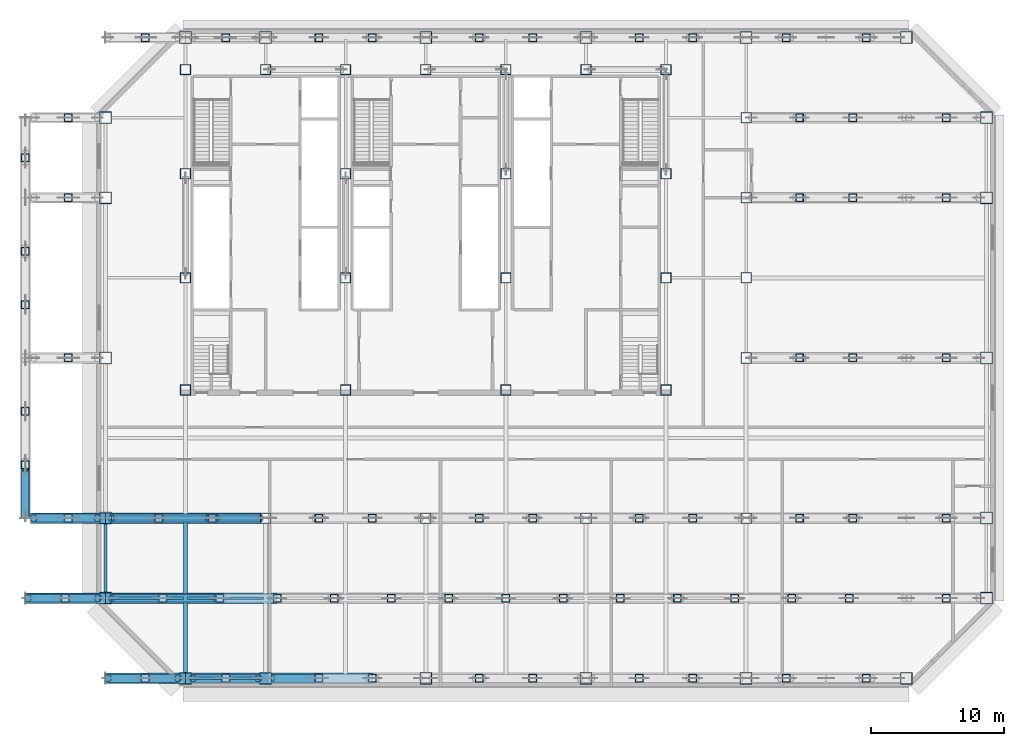
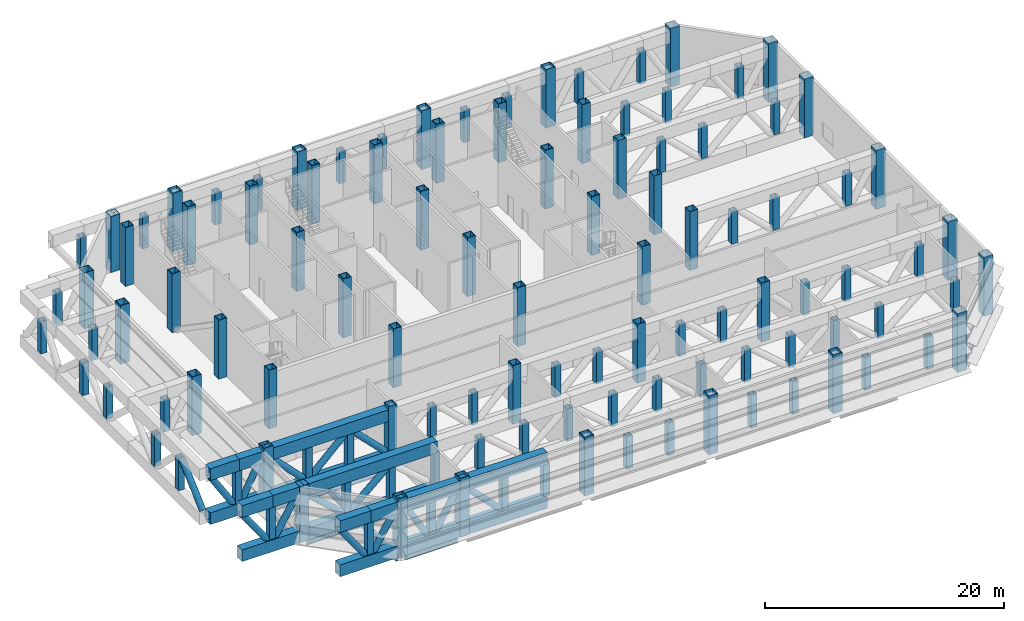
# One storey, part 1 of 17: 113 columns, 21 beams, 15 members.
"""IFC4 building model written with IfcOpenShell, lengths in metres."""

from ifc_helpers import new_model, si_unit, direction, frame, origin, origin_2d, place, context, subcontext, project, spatial, hollow_rectangle, hollow_circle, i_section, extrude, material, material_profile, profile_set, type_object, element, save


model = new_model("IFC4")

# Units and contexts
model_context = context("Model", 3, precision=1e-05, world=origin(), true_north=direction((0.0, 1.0)))
body_context = subcontext(model_context, "Body", "Model", "MODEL_VIEW")
ifc_project = project(units=[si_unit("LENGTHUNIT", "METRE"), si_unit("AREAUNIT", "SQUARE_METRE"), si_unit("VOLUMEUNIT", "CUBIC_METRE"), si_unit("PLANEANGLEUNIT", "RADIAN"), si_unit("MASSUNIT", "GRAM", prefix="KILO")], contexts=[model_context])

# Site, building, storey
site_placement = place(None, origin())
site = spatial("IfcSite", under=ifc_project, at=site_placement, CompositionType="ELEMENT")
building_placement = place(site_placement, origin())
building = spatial("IfcBuilding", under=site, at=building_placement, Name="Sorahane Residences", CompositionType="ELEMENT")
storey_placement = place(building_placement, frame((0.0, 0.0, 90.199951171875)))
storey = spatial("IfcBuildingStorey", under=building, at=storey_placement, Name="L19", CompositionType="ELEMENT", Elevation=90.199951171875)

# Columns
ifc_material_1 = material(Name="Steel Q355B", Category="steel")
ifc_material_profile_1 = material_profile(ifc_material_1, hollow_rectangle(XDim=0.800048828125, YDim=0.800048828125, WallThickness=0.0400390625, at=origin_2d()), Name="BOX 800x800x40")
ifc_profile_set_1 = profile_set([ifc_material_profile_1], Name="Steel Q355B")
column_type_1 = type_object("IfcColumnType", Name="Steel box column BOX 800x800x40 Q355B", PredefinedType="COLUMN", material=ifc_profile_set_1)
for number, where, z_axis, x_axis, name in (
    (1, (12.0, 12.0, 0.0), (0.0, 0.0, 1.0), (1.0, 0.0, 0.0), "Column L19 12/12"),
    (2, (24.0, 12.0, 0.0), (0.0, 0.0, 1.0), (1.0, 0.0, 0.0), "Column L19 24/12"),
    (3, (36.0, 12.0, 0.0), (0.0, 0.0, 1.0), (1.0, 0.0, 0.0), "Column L19 36/12"),
    (4, (48.0, 12.0, 0.0), (0.0, 0.0, 1.0), (1.0, 0.0, 0.0), "Column L19 48/12"),
    (5, (48.0, 24.0, 0.0), (0.0, 0.0, 1.0), (1.0, 0.0, 0.0), "Column L19 48/24"),
    (6, (48.0, 30.0, 0.0), (0.0, 0.0, 1.0), (1.0, 0.0, 0.0), "Column L19 48/30"),
    (7, (48.0, 36.0, 0.0), (0.0, 0.0, 1.0), (1.0, 0.0, 0.0), "Column L19 48/36"),
    (8, (48.0, 42.0, 0.0), (0.0, 0.0, 1.0), (1.0, 0.0, 0.0), "Column L19 48/42"),
):
    element("IfcColumn", number, at=place(storey_placement, frame(where, z_axis=z_axis, x_axis=x_axis)), inside=storey, type_object=column_type_1, Name=name, PredefinedType="COLUMN", context=body_context, shape_type="SweptSolid", body=[
        extrude(hollow_rectangle(XDim=0.800048828125, YDim=0.800048828125, WallThickness=0.0400390625, at=origin_2d()), origin(), (0.0, 0.0, 1.0), 6.0),
    ])
ifc_material_2 = material(Name="Steel Q420GJ", Category="steel")
ifc_material_profile_2 = material_profile(ifc_material_2, hollow_rectangle(XDim=0.800048828125, YDim=0.800048828125, WallThickness=0.06005859375, at=origin_2d()), Name="BOX 800x800x60")
ifc_profile_set_2 = profile_set([ifc_material_profile_2], Name="Steel Q420GJ")
column_type_2 = type_object("IfcColumnType", Name="Steel box column BOX 800x800x60 Q420GJ", PredefinedType="COLUMN", material=ifc_profile_set_2)
for number, where, z_axis, x_axis, name in (
    (9, (6.0, 21.60009765625, 0.0), (0.0, 0.0, 1.0), (1.0, 0.0, 0.0), "Column L19 6/21.6"),
    (10, (6.0, 30.0, 0.0), (0.0, 0.0, 1.0), (1.0, 0.0, 0.0), "Column L19 6/30"),
    (11, (6.0, 37.800048828125, 0.0), (0.0, 0.0, 1.0), (1.0, 0.0, 0.0), "Column L19 6/37.8"),
    (12, (6.0, 45.60009765625, 0.0), (0.0, 0.0, 1.0), (1.0, 0.0, 0.0), "Column L19 6/45.6"),
    (13, (12.0, 45.60009765625, 0.0), (0.0, 0.0, 1.0), (1.0, 0.0, 0.0), "Column L19 12/45.6"),
    (14, (18.0, 21.60009765625, 0.0), (0.0, 0.0, 1.0), (1.0, 0.0, 0.0), "Column L19 18/21.6"),
    (15, (18.0, 30.0, 0.0), (0.0, 0.0, 1.0), (1.0, 0.0, 0.0), "Column L19 18/30"),
    (16, (18.0, 37.800048828125, 0.0), (0.0, 0.0, 1.0), (1.0, 0.0, 0.0), "Column L19 18/37.8"),
    (17, (18.0, 45.60009765625, 0.0), (0.0, 0.0, 1.0), (1.0, 0.0, 0.0), "Column L19 18/45.6"),
    (18, (24.0, 45.60009765625, 0.0), (0.0, 0.0, 1.0), (1.0, 0.0, 0.0), "Column L19 24/45.6"),
    (19, (30.0, 21.60009765625, 0.0), (0.0, 0.0, 1.0), (1.0, 0.0, 0.0), "Column L19 30/21.6"),
    (20, (30.0, 30.0, 0.0), (0.0, 0.0, 1.0), (1.0, 0.0, 0.0), "Column L19 30/30"),
    (21, (30.0, 37.800048828125, 0.0), (0.0, 0.0, 1.0), (1.0, 0.0, 0.0), "Column L19 30/37.8"),
    (22, (30.0, 45.60009765625, 0.0), (0.0, 0.0, 1.0), (1.0, 0.0, 0.0), "Column L19 30/45.6"),
    (23, (36.0, 45.60009765625, 0.0), (0.0, 0.0, 1.0), (1.0, 0.0, 0.0), "Column L19 36/45.6"),
    (24, (42.0, 21.60009765625, 0.0), (0.0, 0.0, 1.0), (1.0, 0.0, 0.0), "Column L19 42/21.6"),
    (25, (42.0, 30.0, 0.0), (0.0, 0.0, 1.0), (1.0, 0.0, 0.0), "Column L19 42/30"),
    (26, (42.0, 37.800048828125, 0.0), (0.0, 0.0, 1.0), (1.0, 0.0, 0.0), "Column L19 42/37.8"),
    (27, (42.0, 45.60009765625, 0.0), (0.0, 0.0, 1.0), (1.0, 0.0, 0.0), "Column L19 42/45.6"),
):
    element("IfcColumn", number, at=place(storey_placement, frame(where, z_axis=z_axis, x_axis=x_axis)), inside=storey, type_object=column_type_2, Name=name, PredefinedType="COLUMN", context=body_context, shape_type="SweptSolid", body=[
        extrude(hollow_rectangle(XDim=0.800048828125, YDim=0.800048828125, WallThickness=0.06005859375, at=origin_2d()), origin(), (0.0, 0.0, 1.0), 6.0),
    ])
ifc_material_3 = material(Name="Steel Q420GJ", Category="steel")
ifc_material_profile_3 = material_profile(ifc_material_3, hollow_rectangle(XDim=0.89990234375, YDim=0.89990234375, WallThickness=0.044921875, at=origin_2d()), Name="BOX 900x900x45")
ifc_profile_set_3 = profile_set([ifc_material_profile_3], Name="Steel Q420GJ")
column_type_3 = type_object("IfcColumnType", Name="Steel box column BOX 900x900x45 Q420GJ", PredefinedType="COLUMN", material=ifc_profile_set_3)
column_1_placement = place(storey_placement, frame((0.0, 6.0, 0.0), z_axis=(0.0, 0.0, 1.0), x_axis=(1.0, 0.0, 0.0)))
element("IfcColumn", 28, at=column_1_placement, inside=storey, type_object=column_type_3, Name="Column L19 m0/6", PredefinedType="COLUMN", context=body_context, shape_type="SweptSolid", body=[
    extrude(hollow_rectangle(XDim=0.89990234375, YDim=0.89990234375, WallThickness=0.044921875, at=origin_2d()), origin(), (0.0, 0.0, 1.0), 5.699951171875),
])
for number, where, z_axis, x_axis, name in (
    (29, (0.0, 12.0, 0.0), (0.0, 0.0, 1.0), (1.0, 0.0, 0.0), "Column L19 m0/12"),
    (30, (0.0, 24.0, 0.0), (0.0, 0.0, 1.0), (1.0, 0.0, 0.0), "Column L19 m0/24"),
    (31, (0.0, 36.0, 0.0), (0.0, 0.0, 1.0), (1.0, 0.0, 0.0), "Column L19 m0/36"),
):
    element("IfcColumn", number, at=place(storey_placement, frame(where, z_axis=z_axis, x_axis=x_axis)), inside=storey, type_object=column_type_3, Name=name, PredefinedType="COLUMN", context=body_context, shape_type="SweptSolid", body=[
        extrude(hollow_rectangle(XDim=0.89990234375, YDim=0.89990234375, WallThickness=0.044921875, at=origin_2d()), origin(), (0.0, 0.0, 1.0), 6.0),
    ])
column_2_placement = place(storey_placement, frame((0.0, 42.0, 0.0), z_axis=(0.0, 0.0, 1.0), x_axis=(1.0, 0.0, 0.0)))
element("IfcColumn", 32, at=column_2_placement, inside=storey, type_object=column_type_3, Name="Column L19 m0/42", PredefinedType="COLUMN", context=body_context, shape_type="SweptSolid", body=[
    extrude(hollow_rectangle(XDim=0.89990234375, YDim=0.89990234375, WallThickness=0.044921875, at=origin_2d()), origin(), (0.0, 0.0, 1.0), 5.699951171875),
])
column_3_placement = place(storey_placement, frame((6.0, 0.0, 0.0), z_axis=(0.0, 0.0, 1.0), x_axis=(1.0, 0.0, 0.0)))
element("IfcColumn", 33, at=column_3_placement, inside=storey, type_object=column_type_3, Name="Column L19 6/0", PredefinedType="COLUMN", context=body_context, shape_type="SweptSolid", body=[
    extrude(hollow_rectangle(XDim=0.89990234375, YDim=0.89990234375, WallThickness=0.044921875, at=origin_2d()), origin(), (0.0, 0.0, 1.0), 6.0),
])
column_4_placement = place(storey_placement, frame((6.0, 48.0, 0.0), z_axis=(0.0, 0.0, 1.0), x_axis=(1.0, 0.0, 0.0)))
element("IfcColumn", 34, at=column_4_placement, inside=storey, type_object=column_type_3, Name="Column L19 6/48", PredefinedType="COLUMN", context=body_context, shape_type="SweptSolid", body=[
    extrude(hollow_rectangle(XDim=0.89990234375, YDim=0.89990234375, WallThickness=0.044921875, at=origin_2d()), origin(), (0.0, 0.0, 1.0), 5.699951171875),
])
for number, where, z_axis, x_axis, name in (
    (35, (12.0, 0.0, 0.0), (0.0, 0.0, 1.0), (1.0, 0.0, 0.0), "Column L19 12/0"),
    (36, (12.0, 48.0, 0.0), (0.0, 0.0, 1.0), (1.0, 0.0, 0.0), "Column L19 12/48"),
    (37, (24.0, 0.0, 0.0), (0.0, 0.0, 1.0), (1.0, 0.0, 0.0), "Column L19 24/0"),
    (38, (24.0, 48.0, 0.0), (0.0, 0.0, 1.0), (1.0, 0.0, 0.0), "Column L19 24/48"),
    (39, (36.0, 0.0, 0.0), (0.0, 0.0, 1.0), (1.0, 0.0, 0.0), "Column L19 36/0"),
    (40, (36.0, 48.0, 0.0), (0.0, 0.0, 1.0), (1.0, 0.0, 0.0), "Column L19 36/48"),
    (41, (48.0, 0.0, 0.0), (0.0, 0.0, 1.0), (1.0, 0.0, 0.0), "Column L19 48/0"),
    (42, (48.0, 48.0, 0.0), (0.0, 0.0, 1.0), (1.0, 0.0, 0.0), "Column L19 48/48"),
    (43, (60.0, 0.0, 0.0), (0.0, 0.0, 1.0), (1.0, 0.0, 0.0), "Column L19 60/0"),
    (44, (60.0, 48.0, 0.0), (0.0, 0.0, 1.0), (1.0, 0.0, 0.0), "Column L19 60/48"),
    (45, (66.0, 6.0, 0.0), (0.0, 0.0, 1.0), (1.0, 0.0, 0.0), "Column L19 66/6"),
    (46, (66.0, 12.0, 0.0), (0.0, 0.0, 1.0), (1.0, 0.0, 0.0), "Column L19 66/12"),
    (47, (66.0, 24.0, 0.0), (0.0, 0.0, 1.0), (1.0, 0.0, 0.0), "Column L19 66/24"),
    (48, (66.0, 36.0, 0.0), (0.0, 0.0, 1.0), (1.0, 0.0, 0.0), "Column L19 66/36"),
    (49, (66.0, 42.0, 0.0), (0.0, 0.0, 1.0), (1.0, 0.0, 0.0), "Column L19 66/42"),
):
    element("IfcColumn", number, at=place(storey_placement, frame(where, z_axis=z_axis, x_axis=x_axis)), inside=storey, type_object=column_type_3, Name=name, PredefinedType="COLUMN", context=body_context, shape_type="SweptSolid", body=[
        extrude(hollow_rectangle(XDim=0.89990234375, YDim=0.89990234375, WallThickness=0.044921875, at=origin_2d()), origin(), (0.0, 0.0, 1.0), 6.0),
    ])
ifc_material_4 = material(Name="Steel Q420GJ", Category="steel")
ifc_material_profile_4 = material_profile(ifc_material_4, hollow_rectangle(XDim=0.60009765625, YDim=0.60009765625, WallThickness=0.0400390625, at=origin_2d()), Name="BOX 600x600x40")
ifc_profile_set_4 = profile_set([ifc_material_profile_4], Name="Steel Q420GJ")
column_type_4 = type_object("IfcColumnType", Name="Truss post BOX 600x600x40 Q420GJ", PredefinedType="COLUMN", material=ifc_profile_set_4)
for number, where, z_axis, x_axis, name in (
    (50, (3.0, 0.0, 1.199951171875), (0.0, 0.0, 1.0), (1.0, 0.0, 0.0), "Truss post L19"),
    (51, (9.0, 0.0, 1.199951171875), (0.0, 0.0, 1.0), (1.0, 0.0, 0.0), "Truss post L19"),
    (52, (16.0, 0.0, 1.199951171875), (0.0, 0.0, 1.0), (1.0, 0.0, 0.0), "Truss post L19"),
    (53, (20.0, 0.0, 1.199951171875), (0.0, 0.0, 1.0), (1.0, 0.0, 0.0), "Truss post L19"),
    (54, (28.0, 0.0, 1.199951171875), (0.0, 0.0, 1.0), (1.0, 0.0, 0.0), "Truss post L19"),
    (55, (32.0, 0.0, 1.199951171875), (0.0, 0.0, 1.0), (1.0, 0.0, 0.0), "Truss post L19"),
    (56, (40.0, 0.0, 1.199951171875), (0.0, 0.0, 1.0), (1.0, 0.0, 0.0), "Truss post L19"),
    (57, (44.0, 0.0, 1.199951171875), (0.0, 0.0, 1.0), (1.0, 0.0, 0.0), "Truss post L19"),
    (58, (51.0, 0.0, 1.199951171875), (0.0, 0.0, 1.0), (1.0, 0.0, 0.0), "Truss post L19"),
    (59, (57.0, 0.0, 1.199951171875), (0.0, 0.0, 1.0), (1.0, 0.0, 0.0), "Truss post L19"),
    (60, (-3.0, 6.0, 1.199951171875), (0.0, 0.0, 1.0), (1.0, 0.0, 0.0), "Truss post L19"),
    (61, (4.28564453125, 6.0, 1.199951171875), (0.0, 0.0, 1.0), (1.0, 0.0, 0.0), "Truss post L19"),
    (62, (8.571533203125, 6.0, 1.199951171875), (0.0, 0.0, 1.0), (1.0, 0.0, 0.0), "Truss post L19"),
    (63, (12.857177734375, 6.0, 1.199951171875), (0.0, 0.0, 1.0), (1.0, 0.0, 0.0), "Truss post L19"),
    (64, (17.142822265625, 6.0, 1.199951171875), (0.0, 0.0, 1.0), (1.0, 0.0, 0.0), "Truss post L19"),
    (65, (21.428466796875, 6.0, 1.199951171875), (0.0, 0.0, 1.0), (1.0, 0.0, 0.0), "Truss post L19"),
    (66, (25.71435546875, 6.0, 1.199951171875), (0.0, 0.0, 1.0), (1.0, 0.0, 0.0), "Truss post L19"),
    (67, (30.0, 6.0, 1.199951171875), (0.0, 0.0, 1.0), (1.0, 0.0, 0.0), "Truss post L19"),
    (68, (34.28564453125, 6.0, 1.199951171875), (0.0, 0.0, 1.0), (1.0, 0.0, 0.0), "Truss post L19"),
    (69, (38.571533203125, 6.0, 1.199951171875), (0.0, 0.0, 1.0), (1.0, 0.0, 0.0), "Truss post L19"),
    (70, (42.857177734375, 6.0, 1.199951171875), (0.0, 0.0, 1.0), (1.0, 0.0, 0.0), "Truss post L19"),
    (71, (47.142822265625, 6.0, 1.199951171875), (0.0, 0.0, 1.0), (1.0, 0.0, 0.0), "Truss post L19"),
    (72, (51.428466796875, 6.0, 1.199951171875), (0.0, 0.0, 1.0), (1.0, 0.0, 0.0), "Truss post L19"),
    (73, (55.71435546875, 6.0, 1.199951171875), (0.0, 0.0, 1.0), (1.0, 0.0, 0.0), "Truss post L19"),
    (74, (63.0, 6.0, 1.199951171875), (0.0, 0.0, 1.0), (1.0, 0.0, 0.0), "Truss post L19"),
    (75, (-2.800048828125, 12.0, 1.199951171875), (0.0, 0.0, 1.0), (1.0, 0.0, 0.0), "Truss post L19"),
    (76, (4.0, 12.0, 1.199951171875), (0.0, 0.0, 1.0), (1.0, 0.0, 0.0), "Truss post L19"),
    (77, (8.0, 12.0, 1.199951171875), (0.0, 0.0, 1.0), (1.0, 0.0, 0.0), "Truss post L19"),
    (78, (16.0, 12.0, 1.199951171875), (0.0, 0.0, 1.0), (1.0, 0.0, 0.0), "Truss post L19"),
    (79, (20.0, 12.0, 1.199951171875), (0.0, 0.0, 1.0), (1.0, 0.0, 0.0), "Truss post L19"),
    (80, (28.0, 12.0, 1.199951171875), (0.0, 0.0, 1.0), (1.0, 0.0, 0.0), "Truss post L19"),
    (81, (32.0, 12.0, 1.199951171875), (0.0, 0.0, 1.0), (1.0, 0.0, 0.0), "Truss post L19"),
    (82, (40.0, 12.0, 1.199951171875), (0.0, 0.0, 1.0), (1.0, 0.0, 0.0), "Truss post L19"),
    (83, (44.0, 12.0, 1.199951171875), (0.0, 0.0, 1.0), (1.0, 0.0, 0.0), "Truss post L19"),
    (84, (52.0, 12.0, 1.199951171875), (0.0, 0.0, 1.0), (1.0, 0.0, 0.0), "Truss post L19"),
    (85, (56.0, 12.0, 1.199951171875), (0.0, 0.0, 1.0), (1.0, 0.0, 0.0), "Truss post L19"),
    (86, (63.0, 12.0, 1.199951171875), (0.0, 0.0, 1.0), (1.0, 0.0, 0.0), "Truss post L19"),
    (87, (-2.800048828125, 24.0, 1.199951171875), (0.0, 0.0, 1.0), (1.0, 0.0, 0.0), "Truss post L19"),
    (88, (52.0, 24.0, 1.199951171875), (0.0, 0.0, 1.0), (1.0, 0.0, 0.0), "Truss post L19"),
    (89, (56.0, 24.0, 1.199951171875), (0.0, 0.0, 1.0), (1.0, 0.0, 0.0), "Truss post L19"),
    (90, (63.0, 24.0, 1.199951171875), (0.0, 0.0, 1.0), (1.0, 0.0, 0.0), "Truss post L19"),
    (91, (-2.800048828125, 36.0, 1.199951171875), (0.0, 0.0, 1.0), (1.0, 0.0, 0.0), "Truss post L19"),
    (92, (52.0, 36.0, 1.199951171875), (0.0, 0.0, 1.0), (1.0, 0.0, 0.0), "Truss post L19"),
    (93, (56.0, 36.0, 1.199951171875), (0.0, 0.0, 1.0), (1.0, 0.0, 0.0), "Truss post L19"),
    (94, (63.0, 36.0, 1.199951171875), (0.0, 0.0, 1.0), (1.0, 0.0, 0.0), "Truss post L19"),
    (95, (-2.800048828125, 42.0, 1.199951171875), (0.0, 0.0, 1.0), (1.0, 0.0, 0.0), "Truss post L19"),
    (96, (52.0, 42.0, 1.199951171875), (0.0, 0.0, 1.0), (1.0, 0.0, 0.0), "Truss post L19"),
    (97, (56.0, 42.0, 1.199951171875), (0.0, 0.0, 1.0), (1.0, 0.0, 0.0), "Truss post L19"),
    (98, (63.0, 42.0, 1.199951171875), (0.0, 0.0, 1.0), (1.0, 0.0, 0.0), "Truss post L19"),
    (99, (3.0, 48.0, 1.199951171875), (0.0, 0.0, 1.0), (1.0, 0.0, 0.0), "Truss post L19"),
    (100, (9.0, 48.0, 1.199951171875), (0.0, 0.0, 1.0), (1.0, 0.0, 0.0), "Truss post L19"),
    (101, (16.0, 48.0, 1.199951171875), (0.0, 0.0, 1.0), (1.0, 0.0, 0.0), "Truss post L19"),
    (102, (20.0, 48.0, 1.199951171875), (0.0, 0.0, 1.0), (1.0, 0.0, 0.0), "Truss post L19"),
    (103, (28.0, 48.0, 1.199951171875), (0.0, 0.0, 1.0), (1.0, 0.0, 0.0), "Truss post L19"),
    (104, (32.0, 48.0, 1.199951171875), (0.0, 0.0, 1.0), (1.0, 0.0, 0.0), "Truss post L19"),
    (105, (40.0, 48.0, 1.199951171875), (0.0, 0.0, 1.0), (1.0, 0.0, 0.0), "Truss post L19"),
    (106, (44.0, 48.0, 1.199951171875), (0.0, 0.0, 1.0), (1.0, 0.0, 0.0), "Truss post L19"),
    (107, (51.0, 48.0, 1.199951171875), (0.0, 0.0, 1.0), (1.0, 0.0, 0.0), "Truss post L19"),
    (108, (57.0, 48.0, 1.199951171875), (0.0, 0.0, 1.0), (1.0, 0.0, 0.0), "Truss post L19"),
    (109, (-6.0, 16.0, 1.199951171875), (0.0, 0.0, 1.0), (1.0, 0.0, 0.0), "Truss post L19"),
    (110, (-6.0, 20.0, 1.199951171875), (0.0, 0.0, 1.0), (1.0, 0.0, 0.0), "Truss post L19"),
    (111, (-6.0, 28.0, 1.199951171875), (0.0, 0.0, 1.0), (1.0, 0.0, 0.0), "Truss post L19"),
    (112, (-6.0, 32.0, 1.199951171875), (0.0, 0.0, 1.0), (1.0, 0.0, 0.0), "Truss post L19"),
    (113, (-6.0, 39.0, 1.199951171875), (0.0, 0.0, 1.0), (1.0, 0.0, 0.0), "Truss post L19"),
):
    element("IfcColumn", number, at=place(storey_placement, frame(where, z_axis=z_axis, x_axis=x_axis)), inside=storey, type_object=column_type_4, Name=name, PredefinedType="COLUMN", context=body_context, shape_type="SweptSolid", body=[
        extrude(hollow_rectangle(XDim=0.60009765625, YDim=0.60009765625, WallThickness=0.0400390625, at=origin_2d()), origin(), (0.0, 0.0, 1.0), 3.300048828125),
    ])

# Beams
ifc_material_5 = material(Name="Steel Q355B", Category="steel")
ifc_material_profile_5 = material_profile(ifc_material_5, i_section(OverallWidth=0.199951171875, OverallDepth=0.449951171875, WebThickness=0.009033203125, FlangeThickness=0.013916015625, FilletRadius=0.02001953125, at=origin_2d()), Name="HN 450x200x9x14")
ifc_profile_set_5 = profile_set([ifc_material_profile_5], Name="Steel Q355B")
beam_type_1 = type_object("IfcBeamType", Name="Steel floor beam HN 450x200x9x14 Q355B", PredefinedType="BEAM", material=ifc_profile_set_5)
for number, where, z_axis, x_axis, name in (
    (114, (6.449951171875, 0.0, -0.52490234375), (1.0, 0.0, 0.0), (0.0, 1.0, 0.0), "Beam L19 000"),
    (115, (0.0, 6.449951171875, -0.52490234375), (0.0, 1.0, 0.0), (-1.0, 0.0, 0.0), "Beam L19 017"),
):
    element("IfcBeam", number, at=place(storey_placement, frame(where, z_axis=z_axis, x_axis=x_axis)), inside=storey, type_object=beam_type_1, Name=name, PredefinedType="BEAM", context=body_context, shape_type="SweptSolid", body=[
        extrude(i_section(OverallWidth=0.199951171875, OverallDepth=0.449951171875, WebThickness=0.009033203125, FlangeThickness=0.013916015625, FilletRadius=0.02001953125, at=origin_2d()), origin(), (0.0, 0.0, 1.0), 5.10009765625),
    ])
beam_1_placement = place(storey_placement, frame((0.449951171875, 6.0, -0.52490234375), z_axis=(1.0, 0.0, 0.0), x_axis=(0.0, 1.0, 0.0)))
element("IfcBeam", 116, at=beam_1_placement, inside=storey, type_object=beam_type_1, Name="Beam L19 061", PredefinedType="BEAM", context=body_context, shape_type="SweptSolid", body=[
    extrude(i_section(OverallWidth=0.199951171875, OverallDepth=0.449951171875, WebThickness=0.009033203125, FlangeThickness=0.013916015625, FilletRadius=0.02001953125, at=origin_2d()), origin(), (0.0, 0.0, 1.0), 5.400146484375),
])
beam_2_placement = place(storey_placement, frame((6.14990234375, 6.0, -0.52490234375), z_axis=(1.0, 0.0, 0.0), x_axis=(0.0, 1.0, 0.0)))
element("IfcBeam", 117, at=beam_2_placement, inside=storey, type_object=beam_type_1, Name="Beam L19 062", PredefinedType="BEAM", context=body_context, shape_type="SweptSolid", body=[
    extrude(i_section(OverallWidth=0.199951171875, OverallDepth=0.449951171875, WebThickness=0.009033203125, FlangeThickness=0.013916015625, FilletRadius=0.02001953125, at=origin_2d()), origin(), (0.0, 0.0, 1.0), 5.7001953125),
])
ifc_material_6 = material(Name="Steel Q355B", Category="steel")
ifc_material_profile_6 = material_profile(ifc_material_6, i_section(OverallWidth=0.300048828125, OverallDepth=0.699951171875, WebThickness=0.012939453125, FlangeThickness=0.02392578125, FilletRadius=0.028076171875, at=origin_2d()), Name="HN 700x300x13x24")
ifc_profile_set_6 = profile_set([ifc_material_profile_6], Name="Steel Q355B")
beam_type_2 = type_object("IfcBeamType", Name="Steel floor beam HN 700x300x13x24 Q355B", PredefinedType="BEAM", material=ifc_profile_set_6)
beam_3_placement = place(storey_placement, frame((0.449951171875, 12.0, -0.64990234375), z_axis=(1.0, 0.0, 0.0), x_axis=(0.0, 1.0, 0.0)))
element("IfcBeam", 118, at=beam_3_placement, inside=storey, type_object=beam_type_2, Name="Beam L19 005", PredefinedType="BEAM", context=body_context, shape_type="SweptSolid", body=[
    extrude(i_section(OverallWidth=0.300048828125, OverallDepth=0.699951171875, WebThickness=0.012939453125, FlangeThickness=0.02392578125, FilletRadius=0.028076171875, at=origin_2d()), origin(), (0.0, 0.0, 1.0), 11.150146484375),
])
beam_4_placement = place(storey_placement, frame((6.0, 0.449951171875, -0.64990234375), z_axis=(0.0, 1.0, 0.0), x_axis=(-1.0, 0.0, 0.0)))
element("IfcBeam", 119, at=beam_4_placement, inside=storey, type_object=beam_type_2, Name="Beam L19 021", PredefinedType="BEAM", context=body_context, shape_type="SweptSolid", body=[
    extrude(i_section(OverallWidth=0.300048828125, OverallDepth=0.699951171875, WebThickness=0.012939453125, FlangeThickness=0.02392578125, FilletRadius=0.028076171875, at=origin_2d()), origin(), (0.0, 0.0, 1.0), 11.400146484375),
])
ifc_material_7 = material(Name="Steel Q420GJ", Category="steel")
ifc_material_profile_7 = material_profile(ifc_material_7, hollow_rectangle(XDim=0.800048828125, YDim=1.199951171875, WallThickness=0.06005859375, at=origin_2d()), Name="BOX 1200x800x60")
ifc_profile_set_7 = profile_set([ifc_material_profile_7], Name="Steel Q420GJ")
beam_type_3 = type_object("IfcBeamType", Name="Truss chord BOX 1200x800x60 Q420GJ", PredefinedType="BEAM", material=ifc_profile_set_7)
beam_5_placement = place(storey_placement, frame((0.0, 0.0, 0.60009765625), z_axis=(1.0, 0.0, 0.0), x_axis=(0.0, 1.0, 0.0)))
element("IfcBeam", 120, at=beam_5_placement, inside=storey, type_object=beam_type_3, Name="Truss chord L19", PredefinedType="BEAM", context=body_context, shape_type="SweptSolid", body=[
    extrude(hollow_rectangle(XDim=0.800048828125, YDim=1.199951171875, WallThickness=0.06005859375, at=origin_2d()), origin(), (0.0, 0.0, 1.0), 6.0),
])
beam_6_placement = place(storey_placement, frame((6.0, 0.0, 0.60009765625), z_axis=(1.0, 0.0, 0.0), x_axis=(0.0, 1.0, 0.0)))
element("IfcBeam", 121, at=beam_6_placement, inside=storey, type_object=beam_type_3, Name="Truss chord L19", PredefinedType="BEAM", context=body_context, shape_type="SweptSolid", body=[
    extrude(hollow_rectangle(XDim=0.800048828125, YDim=1.199951171875, WallThickness=0.06005859375, at=origin_2d()), origin(), (0.0, 0.0, 1.0), 14.0),
])
for number, where, z_axis, x_axis, name in (
    (122, (0.0, 0.0, 5.10009765625), (1.0, 0.0, 0.0), (0.0, 1.0, 0.0), "Truss chord L19"),
    (123, (3.0, 0.0, 5.10009765625), (1.0, 0.0, 0.0), (0.0, 1.0, 0.0), "Truss chord L19"),
):
    element("IfcBeam", number, at=place(storey_placement, frame(where, z_axis=z_axis, x_axis=x_axis)), inside=storey, type_object=beam_type_3, Name=name, PredefinedType="BEAM", context=body_context, shape_type="SweptSolid", body=[
        extrude(hollow_rectangle(XDim=0.800048828125, YDim=1.199951171875, WallThickness=0.06005859375, at=origin_2d()), origin(), (0.0, 0.0, 1.0), 3.0),
    ])
beam_7_placement = place(storey_placement, frame((6.0, 0.0, 5.10009765625), z_axis=(1.0, 0.0, 0.0), x_axis=(0.0, 1.0, 0.0)))
element("IfcBeam", 124, at=beam_7_placement, inside=storey, type_object=beam_type_3, Name="Truss chord L19", PredefinedType="BEAM", context=body_context, shape_type="SweptSolid", body=[
    extrude(hollow_rectangle(XDim=0.800048828125, YDim=1.199951171875, WallThickness=0.06005859375, at=origin_2d()), origin(), (0.0, 0.0, 1.0), 14.0),
])
beam_8_placement = place(storey_placement, frame((-6.0, 6.0, 0.60009765625), z_axis=(1.0, 0.0, 0.0), x_axis=(0.0, 1.0, 0.0)))
element("IfcBeam", 125, at=beam_8_placement, inside=storey, type_object=beam_type_3, Name="Truss chord L19", PredefinedType="BEAM", context=body_context, shape_type="SweptSolid", body=[
    extrude(hollow_rectangle(XDim=0.800048828125, YDim=1.199951171875, WallThickness=0.06005859375, at=origin_2d()), origin(), (0.0, 0.0, 1.0), 6.0),
])
beam_9_placement = place(storey_placement, frame((0.0, 6.0, 0.60009765625), z_axis=(1.0, 0.0, 0.0), x_axis=(0.0, 1.0, 0.0)))
element("IfcBeam", 126, at=beam_9_placement, inside=storey, type_object=beam_type_3, Name="Truss chord L19", PredefinedType="BEAM", context=body_context, shape_type="SweptSolid", body=[
    extrude(hollow_rectangle(XDim=0.800048828125, YDim=1.199951171875, WallThickness=0.06005859375, at=origin_2d()), origin(), (0.0, 0.0, 1.0), 12.857177734375),
])
for number, where, z_axis, x_axis, name in (
    (127, (-6.0, 6.0, 5.10009765625), (1.0, 0.0, 0.0), (0.0, 1.0, 0.0), "Truss chord L19"),
    (128, (-3.0, 6.0, 5.10009765625), (1.0, 0.0, 0.0), (0.0, 1.0, 0.0), "Truss chord L19"),
):
    element("IfcBeam", number, at=place(storey_placement, frame(where, z_axis=z_axis, x_axis=x_axis)), inside=storey, type_object=beam_type_3, Name=name, PredefinedType="BEAM", context=body_context, shape_type="SweptSolid", body=[
        extrude(hollow_rectangle(XDim=0.800048828125, YDim=1.199951171875, WallThickness=0.06005859375, at=origin_2d()), origin(), (0.0, 0.0, 1.0), 3.0),
    ])
beam_10_placement = place(storey_placement, frame((0.0, 6.0, 5.10009765625), z_axis=(1.0, 0.0, 0.0), x_axis=(0.0, 1.0, 0.0)))
element("IfcBeam", 129, at=beam_10_placement, inside=storey, type_object=beam_type_3, Name="Truss chord L19", PredefinedType="BEAM", context=body_context, shape_type="SweptSolid", body=[
    extrude(hollow_rectangle(XDim=0.800048828125, YDim=1.199951171875, WallThickness=0.06005859375, at=origin_2d()), origin(), (0.0, 0.0, 1.0), 12.857177734375),
])
beam_11_placement = place(storey_placement, frame((-5.60009765625, 12.0, 0.60009765625), z_axis=(1.0, 0.0, 0.0), x_axis=(0.0, 1.0, 0.0)))
element("IfcBeam", 130, at=beam_11_placement, inside=storey, type_object=beam_type_3, Name="Truss chord L19", PredefinedType="BEAM", context=body_context, shape_type="SweptSolid", body=[
    extrude(hollow_rectangle(XDim=0.800048828125, YDim=1.199951171875, WallThickness=0.06005859375, at=origin_2d()), origin(), (0.0, 0.0, 1.0), 5.60009765625),
])
beam_12_placement = place(storey_placement, frame((0.0, 12.0, 0.60009765625), z_axis=(1.0, 0.0, 0.0), x_axis=(0.0, 1.0, 0.0)))
element("IfcBeam", 131, at=beam_12_placement, inside=storey, type_object=beam_type_3, Name="Truss chord L19", PredefinedType="BEAM", context=body_context, shape_type="SweptSolid", body=[
    extrude(hollow_rectangle(XDim=0.800048828125, YDim=1.199951171875, WallThickness=0.06005859375, at=origin_2d()), origin(), (0.0, 0.0, 1.0), 11.60009765625),
])
for number, where, z_axis, x_axis, name in (
    (132, (-5.60009765625, 12.0, 5.10009765625), (1.0, 0.0, 0.0), (0.0, 1.0, 0.0), "Truss chord L19"),
    (133, (-2.800048828125, 12.0, 5.10009765625), (1.0, 0.0, 0.0), (0.0, 1.0, 0.0), "Truss chord L19"),
):
    element("IfcBeam", number, at=place(storey_placement, frame(where, z_axis=z_axis, x_axis=x_axis)), inside=storey, type_object=beam_type_3, Name=name, PredefinedType="BEAM", context=body_context, shape_type="SweptSolid", body=[
        extrude(hollow_rectangle(XDim=0.800048828125, YDim=1.199951171875, WallThickness=0.06005859375, at=origin_2d()), origin(), (0.0, 0.0, 1.0), 2.800048828125),
    ])
beam_13_placement = place(storey_placement, frame((0.0, 12.0, 5.10009765625), z_axis=(1.0, 0.0, 0.0), x_axis=(0.0, 1.0, 0.0)))
element("IfcBeam", 134, at=beam_13_placement, inside=storey, type_object=beam_type_3, Name="Truss chord L19", PredefinedType="BEAM", context=body_context, shape_type="SweptSolid", body=[
    extrude(hollow_rectangle(XDim=0.800048828125, YDim=1.199951171875, WallThickness=0.06005859375, at=origin_2d()), origin(), (0.0, 0.0, 1.0), 11.60009765625),
])

# Members
ifc_material_8 = material(Name="Steel Q420GJ", Category="steel")
ifc_material_profile_8 = material_profile(ifc_material_8, hollow_circle(Radius=0.300048828125, WallThickness=0.031982421875, at=origin_2d()), Name="CHS 600x32")
ifc_profile_set_8 = profile_set([ifc_material_profile_8], Name="Steel Q420GJ")
member_type = type_object("IfcMemberType", Name="Truss diagonal CHS 600x32 Q420GJ", PredefinedType="BRACE", material=ifc_profile_set_8)
member_1_placement = place(storey_placement, frame((0.192626953125, 0.0, 4.591796875), z_axis=(0.577579121022, 0.0, -0.816334710128), x_axis=(0.0, 1.0, 0.0)))
element("IfcMember", 135, at=member_1_placement, inside=storey, type_object=member_type, Name="Truss diagonal L19", PredefinedType="BRACE", context=body_context, shape_type="SweptSolid", body=[
    extrude(hollow_circle(Radius=0.300048828125, WallThickness=0.031982421875, at=origin_2d()), origin(), (0.0, 0.0, 1.0), 4.26708984375),
])
for number, where, z_axis, x_axis, name in (
    (136, (3.397705078125, 0.0, 1.115478515625), (0.509571647597, 0.0, 0.860428228248), (0.0, 1.0, 0.0), "Truss diagonal L19"),
    (137, (6.5478515625, 0.0, 4.58447265625), (0.509571647597, 0.0, -0.860428228248), (0.0, 1.0, 0.0), "Truss diagonal L19"),
    (138, (9.397705078125, 0.0, 1.115478515625), (0.509571647597, 0.0, 0.860428228248), (0.0, 1.0, 0.0), "Truss diagonal L19"),
):
    element("IfcMember", number, at=place(storey_placement, frame(where, z_axis=z_axis, x_axis=x_axis)), inside=storey, type_object=member_type, Name=name, PredefinedType="BRACE", context=body_context, shape_type="SweptSolid", body=[
        extrude(hollow_circle(Radius=0.300048828125, WallThickness=0.031982421875, at=origin_2d()), origin(), (0.0, 0.0, 1.0), 4.03173828125),
    ])
member_2_placement = place(storey_placement, frame((12.449951171875, 0.0, 4.507568359375), z_axis=(0.700077720458, 0.0, -0.714066653274), x_axis=(0.0, 1.0, 0.0)))
element("IfcMember", 139, at=member_2_placement, inside=storey, type_object=member_type, Name="Truss diagonal L19", PredefinedType="BRACE", context=body_context, shape_type="SweptSolid", body=[
    extrude(hollow_circle(Radius=0.300048828125, WallThickness=0.031982421875, at=origin_2d()), origin(), (0.0, 0.0, 1.0), 4.642333984375),
])
member_3_placement = place(storey_placement, frame((-5.807373046875, 6.0, 4.591796875), z_axis=(0.577579121022, 0.0, -0.816334710128), x_axis=(0.0, 1.0, 0.0)))
element("IfcMember", 140, at=member_3_placement, inside=storey, type_object=member_type, Name="Truss diagonal L19", PredefinedType="BRACE", context=body_context, shape_type="SweptSolid", body=[
    extrude(hollow_circle(Radius=0.300048828125, WallThickness=0.031982421875, at=origin_2d()), origin(), (0.0, 0.0, 1.0), 4.26708984375),
])
member_4_placement = place(storey_placement, frame((-2.602294921875, 6.0, 1.115478515625), z_axis=(0.509571647597, 0.0, 0.860428228248), x_axis=(0.0, 1.0, 0.0)))
element("IfcMember", 141, at=member_4_placement, inside=storey, type_object=member_type, Name="Truss diagonal L19", PredefinedType="BRACE", context=body_context, shape_type="SweptSolid", body=[
    extrude(hollow_circle(Radius=0.300048828125, WallThickness=0.031982421875, at=origin_2d()), origin(), (0.0, 0.0, 1.0), 4.03173828125),
])
member_5_placement = place(storey_placement, frame((0.449951171875, 6.0, 4.468017578125), z_axis=(0.737665602649, 0.0, -0.675166245208), x_axis=(0.0, 1.0, 0.0)))
element("IfcMember", 142, at=member_5_placement, inside=storey, type_object=member_type, Name="Truss diagonal L19", PredefinedType="BRACE", context=body_context, shape_type="SweptSolid", body=[
    extrude(hollow_circle(Radius=0.300048828125, WallThickness=0.031982421875, at=origin_2d()), origin(), (0.0, 0.0, 1.0), 4.79296875),
])
member_6_placement = place(storey_placement, frame((4.585693359375, 6.0, 1.249755859375), z_axis=(0.755071561064, 0.0, 0.655642385506), x_axis=(0.0, 1.0, 0.0)))
element("IfcMember", 143, at=member_6_placement, inside=storey, type_object=member_type, Name="Truss diagonal L19", PredefinedType="BRACE", context=body_context, shape_type="SweptSolid", body=[
    extrude(hollow_circle(Radius=0.300048828125, WallThickness=0.031982421875, at=origin_2d()), origin(), (0.0, 0.0, 1.0), 4.88134765625),
])
member_7_placement = place(storey_placement, frame((-5.3701171875, 12.0, 4.587158203125), z_axis=(0.533339762033, 0.0, -0.845901116109), x_axis=(0.0, 1.0, 0.0)))
element("IfcMember", 144, at=member_7_placement, inside=storey, type_object=member_type, Name="Truss diagonal L19", PredefinedType="BRACE", context=body_context, shape_type="SweptSolid", body=[
    extrude(hollow_circle(Radius=0.300048828125, WallThickness=0.031982421875, at=origin_2d()), origin(), (0.0, 0.0, 1.0), 4.10693359375),
])
member_8_placement = place(storey_placement, frame((-2.36767578125, 12.0, 1.120849609375), z_axis=(0.458743583588, 0.0, 0.888568694315), x_axis=(0.0, 1.0, 0.0)))
element("IfcMember", 145, at=member_8_placement, inside=storey, type_object=member_type, Name="Truss diagonal L19", PredefinedType="BRACE", context=body_context, shape_type="SweptSolid", body=[
    extrude(hollow_circle(Radius=0.300048828125, WallThickness=0.031982421875, at=origin_2d()), origin(), (0.0, 0.0, 1.0), 3.891845703125),
])
member_9_placement = place(storey_placement, frame((0.449951171875, 12.0, 4.507568359375), z_axis=(0.700077720458, 0.0, -0.714066653274), x_axis=(0.0, 1.0, 0.0)))
element("IfcMember", 146, at=member_9_placement, inside=storey, type_object=member_type, Name="Truss diagonal L19", PredefinedType="BRACE", context=body_context, shape_type="SweptSolid", body=[
    extrude(hollow_circle(Radius=0.300048828125, WallThickness=0.031982421875, at=origin_2d()), origin(), (0.0, 0.0, 1.0), 4.642333984375),
])
member_10_placement = place(storey_placement, frame((4.300048828125, 12.0, 1.21435546875), z_axis=(0.72058444139, 0.0, 0.693367191917), x_axis=(0.0, 1.0, 0.0)))
element("IfcMember", 147, at=member_10_placement, inside=storey, type_object=member_type, Name="Truss diagonal L19", PredefinedType="BRACE", context=body_context, shape_type="SweptSolid", body=[
    extrude(hollow_circle(Radius=0.300048828125, WallThickness=0.031982421875, at=origin_2d()), origin(), (0.0, 0.0, 1.0), 4.71826171875),
])
member_11_placement = place(storey_placement, frame((8.300048828125, 12.0, 4.5), z_axis=(0.707106781187, 0.0, -0.707106781187), x_axis=(0.0, 1.0, 0.0)))
element("IfcMember", 148, at=member_11_placement, inside=storey, type_object=member_type, Name="Truss diagonal L19", PredefinedType="BRACE", context=body_context, shape_type="SweptSolid", body=[
    extrude(hollow_circle(Radius=0.300048828125, WallThickness=0.031982421875, at=origin_2d()), origin(), (0.0, 0.0, 1.0), 4.6669921875),
])
member_12_placement = place(storey_placement, frame((-6.0, 12.14990234375, 1.23388671875), z_axis=(0.0, 0.739410635701, 0.673254715403), x_axis=(-1.0, 0.0, 0.0)))
element("IfcMember", 149, at=member_12_placement, inside=storey, type_object=member_type, Name="Truss diagonal L19", PredefinedType="BRACE", context=body_context, shape_type="SweptSolid", body=[
    extrude(hollow_circle(Radius=0.300048828125, WallThickness=0.031982421875, at=origin_2d()), origin(), (0.0, 0.0, 1.0), 4.80126953125),
])

save(model, "model.ifc")
